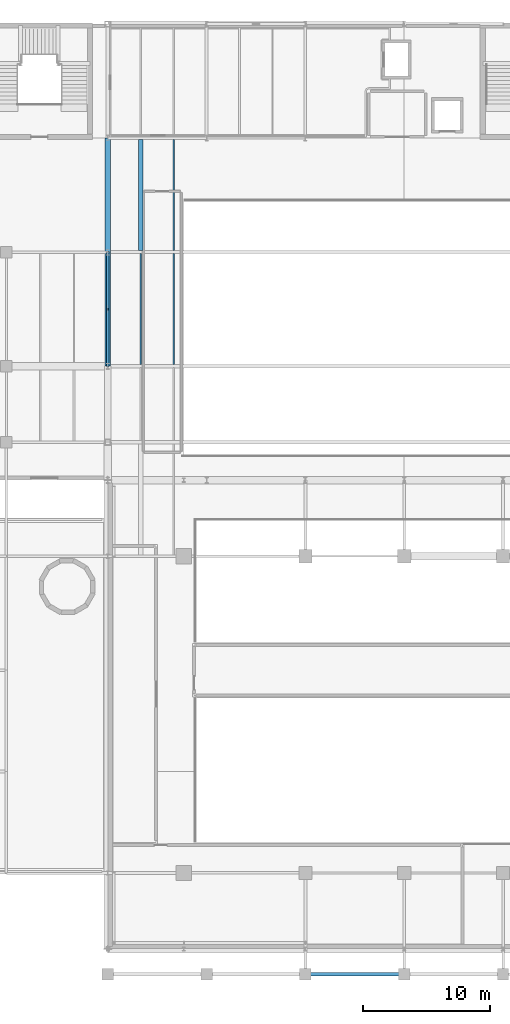
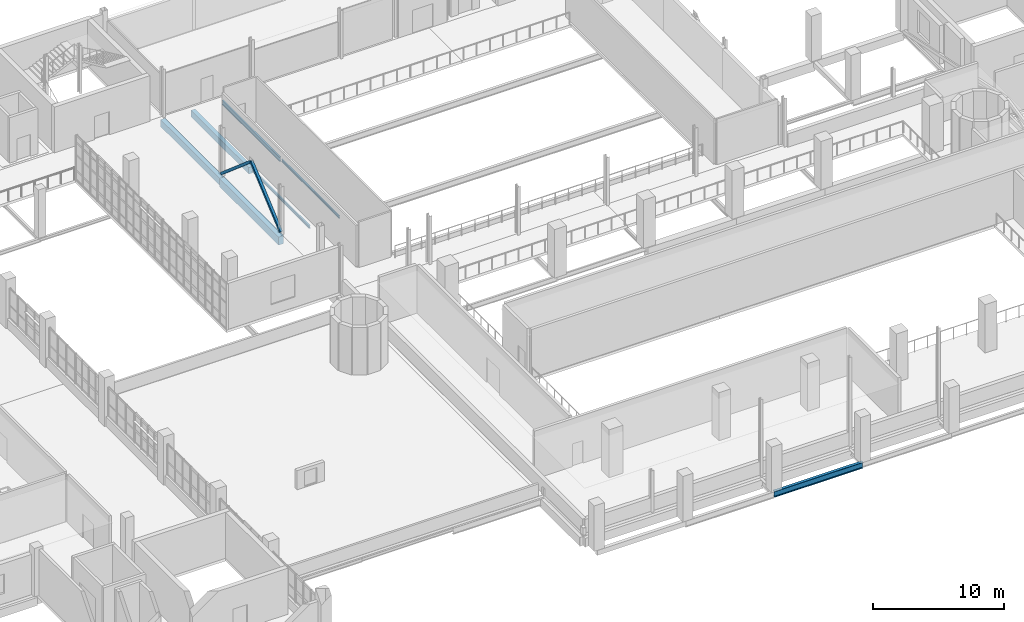
# One storey, part 30 of 85: 7 beams, 2 members.
"""IFC4 building model written with IfcOpenShell, lengths in metres."""

import ifcopenshell
import ifcopenshell.guid

model = None  # the IFC model being written
_history = None  # IfcOwnerHistory: only IFC2X3 demands one
_inside = {}  # id of a spatial element -> (the spatial element, [elements in it])
_under = {}  # id of a project, library or spatial element -> (it, [spatial elements below it])
_declared = {}  # id of a project -> (the project, [libraries it declares])
_typed = {}  # id of a type object -> (the type object, [elements of that type])
_made_of = {}  # id of a material, layer set ... -> (it, [elements and type objects made of it])


def new_model(schema):
    """Start an empty IFC model of exactly this schema.

    Asked for "IFC4X3", IfcOpenShell would pick the latest addendum, in which some entities
    have other attributes; the version numbers below select the first issue.
    IFC2X3 requires an IfcOwnerHistory on every rooted entity: one is made here for all.
    """
    global model, _history
    if schema == "IFC4X3":
        model = ifcopenshell.file(schema_version=(4, 3, 0, 0))
    else:
        model = ifcopenshell.file(schema=schema)
    _inside.clear()
    _under.clear()
    _declared.clear()
    _typed.clear()
    _made_of.clear()
    _history = None
    if model.schema == "IFC2X3":
        org = make("IfcOrganization", Name="unknown")
        user = make(
            "IfcPersonAndOrganization",
            ThePerson=make("IfcPerson", FamilyName="unknown"),
            TheOrganization=org,
        )
        app = make(
            "IfcApplication",
            ApplicationDeveloper=org,
            Version="unknown",
            ApplicationFullName="unknown",
            ApplicationIdentifier="unknown",
        )
        _history = make(
            "IfcOwnerHistory",
            OwningUser=user,
            OwningApplication=app,
            ChangeAction="ADDED",
            CreationDate=0,
        )
    return model


def make(cls, **values):
    """One entity of the class cls with the attributes given. An attribute that is None is left unset."""
    return model.create_entity(
        cls, **{name: value for name, value in values.items() if value is not None}
    )


def rooted(cls, **values):
    """An entity with a GlobalId (a new one), such as an element, a storey or a relation."""
    return make(cls, GlobalId=ifcopenshell.guid.new(), OwnerHistory=_history, **values)


def si_unit(unit_type, name, prefix=None):
    """IfcSIUnit, for example si_unit("LENGTHUNIT", "METRE", prefix="MILLI")."""
    return make("IfcSIUnit", UnitType=unit_type, Prefix=prefix, Name=name)


def derived_unit(unit_type, elements):
    """IfcDerivedUnit: a product of units, each with its exponent."""
    return make(
        "IfcDerivedUnit",
        Elements=[
            make("IfcDerivedUnitElement", Unit=unit, Exponent=power)
            for unit, power in elements
        ],
        UnitType=unit_type,
    )


def assignment(units):
    """IfcUnitAssignment: the units of a project."""
    return None if units is None else make("IfcUnitAssignment", Units=units)


def point(xyz):
    """IfcCartesianPoint."""
    return None if xyz is None else make("IfcCartesianPoint", Coordinates=xyz)


def direction(xyz):
    """IfcDirection."""
    return None if xyz is None else make("IfcDirection", DirectionRatios=xyz)


def frame(location, z_axis=None, x_axis=None):
    """IfcAxis2Placement3D, a coordinate frame: its origin and axes. An axis left out is left unset."""
    return make(
        "IfcAxis2Placement3D",
        Location=point(location),
        Axis=direction(z_axis),
        RefDirection=direction(x_axis),
    )


def frame_2d(location, x_axis=None):
    """IfcAxis2Placement2D, a coordinate frame in the plane: its origin and x axis."""
    return make(
        "IfcAxis2Placement2D", Location=point(location), RefDirection=direction(x_axis)
    )


def origin():
    """The frame at (0, 0, 0) with its axes left unset."""
    return frame((0.0, 0.0, 0.0))


def origin_2d():
    """The frame at (0, 0) in the plane with its x axis left unset."""
    return frame_2d((0.0, 0.0))


def place(relative_to, where):
    """IfcLocalPlacement: puts the frame where relative to a parent placement (None: the world)."""
    return make(
        "IfcLocalPlacement", PlacementRelTo=relative_to, RelativePlacement=where
    )


def context(
    kind, dimensions, precision=None, world=None, true_north=None, identifier=None
):
    """IfcGeometricRepresentationContext, for example the 3D "Model" context."""
    return make(
        "IfcGeometricRepresentationContext",
        ContextIdentifier=identifier,
        ContextType=kind,
        CoordinateSpaceDimension=dimensions,
        Precision=precision,
        WorldCoordinateSystem=world,
        TrueNorth=true_north,
    )


def subcontext(parent, identifier, kind, view, scale=None):
    """IfcGeometricRepresentationSubContext, for example "Body" below "Model"."""
    return make(
        "IfcGeometricRepresentationSubContext",
        ContextIdentifier=identifier,
        ContextType=kind,
        ParentContext=parent,
        TargetScale=scale,
        TargetView=view,
    )


def project(units=None, contexts=None):
    """IfcProject with its units and contexts."""
    return rooted(
        "IfcProject",
        Name="project",
        RepresentationContexts=contexts,
        UnitsInContext=assignment(units),
    )


def spatial(cls, under=None, at=None, **own):
    """A site, building, storey or space (cls), placed at a placement, below another one or the project."""
    s = rooted(cls, ObjectPlacement=at, **own)
    if under is not None:
        _under.setdefault(under.id(), (under, []))[1].append(s)
    return s


def profile(cls, at=None, kind="AREA", **sizes):
    """A parametric profile (cls). Its sizes go by their IFC names, for example OverallWidth=200.0."""
    return make(cls, ProfileType=kind, Position=at, **sizes)


def rectangle(**sizes):
    """IfcRectangleProfileDef."""
    return profile("IfcRectangleProfileDef", **sizes)


def hollow_rectangle(**sizes):
    """IfcRectangleHollowProfileDef."""
    return profile("IfcRectangleHollowProfileDef", **sizes)


def i_section(**sizes):
    """IfcIShapeProfileDef."""
    return profile("IfcIShapeProfileDef", **sizes)


def extrude(swept, where, along, depth):
    """IfcExtrudedAreaSolid: the profile swept, set in the frame where, extruded along a direction by depth."""
    return make(
        "IfcExtrudedAreaSolid",
        SweptArea=swept,
        Position=where,
        ExtrudedDirection=direction(along),
        Depth=depth,
    )


def shape(context_of_items, identifier, shape_type, items):
    """IfcShapeRepresentation: the items that make up one representation, for example the "Body"."""
    return make(
        "IfcShapeRepresentation",
        ContextOfItems=context_of_items,
        RepresentationIdentifier=identifier,
        RepresentationType=shape_type,
        Items=items,
    )


def material(Name=None, Category=None):
    """IfcMaterial."""
    return make("IfcMaterial", Name=Name, Category=Category)


def material_profile(
    of_material, cross_section, Name=None, Category=None, Priority=None
):
    """IfcMaterialProfile: a cross section and its material."""
    return make(
        "IfcMaterialProfile",
        Name=Name,
        Material=of_material,
        Profile=cross_section,
        Priority=Priority,
        Category=Category,
    )


def profile_set(profiles, Name=None, composite=None):
    """IfcMaterialProfileSet."""
    return make(
        "IfcMaterialProfileSet",
        Name=Name,
        MaterialProfiles=profiles,
        CompositeProfile=composite,
    )


def made_of(thing, what):
    """Note that an element or type object is made of a material, layer set ...; save() writes the relation."""
    if what is not None:
        _made_of.setdefault(what.id(), (what, []))[1].append(thing)
    return thing


def type_object(cls, material=None, **own):
    """A type object (cls), such as IfcWallType, which elements share."""
    return made_of(rooted(cls, **own), material)


def element(
    cls,
    number,
    at=None,
    inside=None,
    cuts=None,
    type_object=None,
    material=None,
    context=None,
    identifier="Body",
    shape_type=None,
    held_by="IfcProductDefinitionShape",
    body=None,
    shapes=None,
    **own,
):
    """One element of the class cls, such as IfcWall. Its Tag is "e" and its number.

    at: its placement. inside: the storey or other place that contains it. cuts: it is an
    opening in that element (IfcRelVoidsElement). A single representation is given by context,
    identifier, shape_type and body (its items); several are given by shapes. held_by: the class
    of the entity that holds the representations. save() writes the other relations.
    """
    e = rooted(cls, Tag="e%d" % number, ObjectPlacement=at, **own)
    if body is not None:
        shapes = [shape(context, identifier, shape_type, body)]
    if shapes is not None:
        e.Representation = make(held_by, Representations=shapes)
    if inside is not None:
        _inside.setdefault(inside.id(), (inside, []))[1].append(e)
    if cuts is not None:
        rooted(
            "IfcRelVoidsElement", RelatingBuildingElement=cuts, RelatedOpeningElement=e
        )
    if type_object is not None:
        _typed.setdefault(type_object.id(), (type_object, []))[1].append(e)
    return made_of(e, material)


def aggregate(whole, parts):
    """IfcRelAggregates: a whole, such as a stair, and the parts it consists of."""
    return rooted("IfcRelAggregates", RelatingObject=whole, RelatedObjects=parts)


def save(model, path):
    """Write the relations noted so far, then the file.

    IfcRelAggregates (storeys below a building ...), IfcRelContainedInSpatialStructure (elements
    in a storey), IfcRelDefinesByType, IfcRelAssociatesMaterial and IfcRelDeclares: one each for
    every whole, place, type object, material and project.
    """
    for whole, parts in _under.values():
        aggregate(whole, parts)
    for where, things in _inside.values():
        rooted(
            "IfcRelContainedInSpatialStructure",
            RelatedElements=things,
            RelatingStructure=where,
        )
    for kind, things in _typed.values():
        rooted("IfcRelDefinesByType", RelatedObjects=things, RelatingType=kind)
    for what, things in _made_of.values():
        rooted("IfcRelAssociatesMaterial", RelatedObjects=things, RelatingMaterial=what)
    for by, libraries in _declared.values():
        rooted("IfcRelDeclares", RelatingContext=by, RelatedDefinitions=libraries)
    model.write(path)


model = new_model("IFC4")

# Units and contexts
model_context = context("Model", 3, precision=1e-05, world=origin(), true_north=direction((0.0, 1.0)))
body_context = subcontext(model_context, "Body", "Model", "MODEL_VIEW")
ifc_project = project(units=[si_unit("LENGTHUNIT", "METRE"), si_unit("AREAUNIT", "SQUARE_METRE"), si_unit("VOLUMEUNIT", "CUBIC_METRE"), si_unit("PLANEANGLEUNIT", "RADIAN"), si_unit("MASSUNIT", "GRAM", prefix="KILO"), derived_unit("THERMALTRANSMITTANCEUNIT", [(si_unit("POWERUNIT", "WATT"), 1), (si_unit("LENGTHUNIT", "METRE"), -2), (si_unit("THERMODYNAMICTEMPERATUREUNIT", "KELVIN"), -1)])], contexts=[model_context])

# Site, building, storey
site_placement = place(None, origin())
site = spatial("IfcSite", under=ifc_project, at=site_placement, CompositionType="ELEMENT")
building_placement = place(site_placement, origin())
building = spatial("IfcBuilding", under=site, at=building_placement, Name="Nallur Shell Playhouse", CompositionType="ELEMENT")
storey_placement = place(building_placement, frame((0.0, 0.0, 19.800048828125)))
storey = spatial("IfcBuildingStorey", under=building, at=storey_placement, Name="L05", CompositionType="ELEMENT", Elevation=19.800048828125)

# Beams
ifc_material_1 = material(Name="Steel E250", Category="steel")
ifc_material_profile_1 = material_profile(ifc_material_1, i_section(OverallWidth=0.110107421875, OverallDepth=0.22509765625, WebThickness=0.006591796875, FlangeThickness=0.01171875, FilletRadius=0.011962890625, at=origin_2d()), Name="ISMB 225")
ifc_profile_set_1 = profile_set([ifc_material_profile_1], Name="Steel E250")
beam_type_1 = type_object("IfcBeamType", Name="BM-JST-ISMB225", PredefinedType="JOIST", material=ifc_profile_set_1)
beam_1_placement = place(storey_placement, frame((69.199951171875, 56.123046875, -0.362548828125), z_axis=(0.0, 1.0, 0.0), x_axis=(-1.0, 0.0, 0.0)))
element("IfcBeam", 1, at=beam_1_placement, inside=storey, type_object=beam_type_1, Name="L05 secondary joist 8-G-1103", PredefinedType="JOIST", context=body_context, shape_type="SweptSolid", body=[
    extrude(i_section(OverallWidth=0.110107421875, OverallDepth=0.22509765625, WebThickness=0.006591796875, FlangeThickness=0.01171875, FilletRadius=0.011962890625, at=origin_2d()), origin(), (0.0, 0.0, 1.0), 8.75390625),
])
ifc_material_profile_2 = material_profile(ifc_material_1, i_section(OverallWidth=0.125, OverallDepth=0.25, WebThickness=0.0068359375, FlangeThickness=0.012451171875, FilletRadius=0.012939453125, at=origin_2d()), Name="ISMB 250")
ifc_profile_set_2 = profile_set([ifc_material_profile_2], Name="Steel E250")
beam_type_2 = type_object("IfcBeamType", Name="BM-JST-ISMB250", PredefinedType="JOIST", material=ifc_profile_set_2)
beam_2_placement = place(storey_placement, frame((66.60009765625, 56.123046875, -0.375), z_axis=(0.0, 1.0, 0.0), x_axis=(-1.0, 0.0, 0.0)))
element("IfcBeam", 2, at=beam_2_placement, inside=storey, type_object=beam_type_2, Name="L05 secondary joist 8-G-1102", PredefinedType="JOIST", context=body_context, shape_type="SweptSolid", body=[
    extrude(i_section(OverallWidth=0.125, OverallDepth=0.25, WebThickness=0.0068359375, FlangeThickness=0.012451171875, FilletRadius=0.012939453125, at=origin_2d()), origin(), (0.0, 0.0, 1.0), 8.75390625),
])
ifc_material_profile_3 = material_profile(ifc_material_1, i_section(OverallWidth=0.139892578125, OverallDepth=0.39990234375, WebThickness=0.0087890625, FlangeThickness=0.01611328125, FilletRadius=0.013916015625, at=origin_2d()), Name="ISMB 400")
ifc_profile_set_3 = profile_set([ifc_material_profile_3], Name="Steel E250")
beam_type_3 = type_object("IfcBeamType", Name="BM-JST-ISMB400", PredefinedType="JOIST", material=ifc_profile_set_3)
beam_3_placement = place(storey_placement, frame((69.199951171875, 65.123046875, -0.449951171875), z_axis=(0.0, 1.0, 0.0), x_axis=(-1.0, 0.0, 0.0)))
element("IfcBeam", 3, at=beam_3_placement, inside=storey, type_object=beam_type_3, Name="L05 secondary joist 8-H-1105", PredefinedType="JOIST", context=body_context, shape_type="SweptSolid", body=[
    extrude(i_section(OverallWidth=0.139892578125, OverallDepth=0.39990234375, WebThickness=0.0087890625, FlangeThickness=0.01611328125, FilletRadius=0.013916015625, at=origin_2d()), origin(), (0.0, 0.0, 1.0), 8.7890625),
])
ifc_material_2 = material(Name="Concrete M30", Category="concrete")
ifc_material_profile_4 = material_profile(ifc_material_2, rectangle(XDim=0.35009765625, YDim=0.60009765625, at=origin_2d()), Name="RC 350x600")
ifc_profile_set_4 = profile_set([ifc_material_profile_4], Name="Concrete M30")
beam_type_4 = type_object("IfcBeamType", Name="BM-RC-350x600", PredefinedType="JOIST", material=ifc_profile_set_4)
beam_4_placement = place(storey_placement, frame((66.60009765625, 65.123046875, -0.550048828125), z_axis=(0.0, 1.0, 0.0), x_axis=(-1.0, 0.0, 0.0)))
element("IfcBeam", 4, at=beam_4_placement, inside=storey, type_object=beam_type_4, Name="L05 secondary joist 8-H-1104", PredefinedType="JOIST", context=body_context, shape_type="SweptSolid", body=[
    extrude(rectangle(XDim=0.35009765625, YDim=0.60009765625, at=origin_2d()), origin(), (0.0, 0.0, 1.0), 8.7890625),
])
ifc_material_3 = material(Name="Concrete M35", Category="concrete")
ifc_material_profile_5 = material_profile(ifc_material_3, rectangle(XDim=0.39990234375, YDim=0.64990234375, at=origin_2d()), Name="RC 400x650")
ifc_profile_set_5 = profile_set([ifc_material_profile_5], Name="Concrete M35")
beam_type_5 = type_object("IfcBeamType", Name="BM-RC-400x650", PredefinedType="BEAM", material=ifc_profile_set_5)
beam_5_placement = place(storey_placement, frame((64.0, 65.0, -0.574951171875), z_axis=(0.0, 1.0, 0.0), x_axis=(-1.0, 0.0, 0.0)))
element("IfcBeam", 5, at=beam_5_placement, inside=storey, type_object=beam_type_5, Name="L05 girder Y-8-1023", PredefinedType="BEAM", context=body_context, shape_type="SweptSolid", body=[
    extrude(rectangle(XDim=0.39990234375, YDim=0.64990234375, at=origin_2d()), origin(), (0.0, 0.0, 1.0), 9.0),
])
ifc_material_profile_6 = material_profile(ifc_material_3, rectangle(XDim=0.449951171875, YDim=0.75, at=origin_2d()), Name="RC 450x750")
ifc_profile_set_6 = profile_set([ifc_material_profile_6], Name="Concrete M35")
beam_type_6 = type_object("IfcBeamType", Name="BM-RC-450x750", PredefinedType="BEAM", material=ifc_profile_set_6)
beam_6_placement = place(storey_placement, frame((64.0, 56.0, -0.625), z_axis=(0.0, 1.0, 0.0), x_axis=(-1.0, 0.0, 0.0)))
element("IfcBeam", 6, at=beam_6_placement, inside=storey, type_object=beam_type_6, Name="L05 girder Y-8-1022", PredefinedType="BEAM", context=body_context, shape_type="SweptSolid", body=[
    extrude(rectangle(XDim=0.449951171875, YDim=0.75, at=origin_2d()), origin(), (0.0, 0.0, 1.0), 9.0),
])
ifc_material_4 = material(Name="Steel E350", Category="steel")
ifc_material_profile_7 = material_profile(ifc_material_4, i_section(OverallWidth=0.25, OverallDepth=0.550048828125, WebThickness=0.010498046875, FlangeThickness=0.017578125, FilletRadius=0.01611328125, at=origin_2d()), Name="ISWB 550")
ifc_profile_set_7 = profile_set([ifc_material_profile_7], Name="Steel E350")
beam_type_7 = type_object("IfcBeamType", Name="BM-ST-ISWB550", PredefinedType="BEAM", material=ifc_profile_set_7)
beam_7_placement = place(storey_placement, frame((79.60009765625, 8.0, -0.525146484375), z_axis=(1.0, 0.0, 0.0), x_axis=(0.0, 1.0, 0.0)))
element("IfcBeam", 7, at=beam_7_placement, inside=storey, type_object=beam_type_7, Name="L05 girder X-A-930", PredefinedType="BEAM", context=body_context, shape_type="SweptSolid", body=[
    extrude(i_section(OverallWidth=0.25, OverallDepth=0.550048828125, WebThickness=0.010498046875, FlangeThickness=0.017578125, FilletRadius=0.01611328125, at=origin_2d()), origin(), (0.0, 0.0, 1.0), 7.7998046875),
])

# Members
ifc_material_profile_8 = material_profile(ifc_material_4, hollow_rectangle(XDim=0.219970703125, YDim=0.219970703125, WallThickness=0.011962890625, at=origin_2d()), Name="SHS 220x220x12")
ifc_profile_set_8 = profile_set([ifc_material_profile_8], Name="Steel E350")
member_type = type_object("IfcMemberType", Name="MB-FT-BRACE2", PredefinedType="BRACE", material=ifc_profile_set_8)
for number, where, z_axis, x_axis, name in (
    (8, (64.0, 56.0, 0.14990234375), (0.0, 0.759844100981, 0.650105331623), (-1.0, 0.0, 0.0), "Stage fly tower concentric brace BR-FT-L05-033"),
    (9, (64.0, 65.0, 0.14990234375), (0.0, -0.759844100981, 0.650105331623), (1.0, 0.0, 0.0), "Stage fly tower concentric brace BR-FT-L05-034"),
):
    element("IfcMember", number, at=place(storey_placement, frame(where, z_axis=z_axis, x_axis=x_axis)), inside=storey, type_object=member_type, Name=name, PredefinedType="BRACE", context=body_context, shape_type="SweptSolid", body=[
        extrude(hollow_rectangle(XDim=0.219970703125, YDim=0.219970703125, WallThickness=0.011962890625, at=origin_2d()), origin(), (0.0, 0.0, 1.0), 5.92236328125),
    ])

save(model, "model.ifc")
